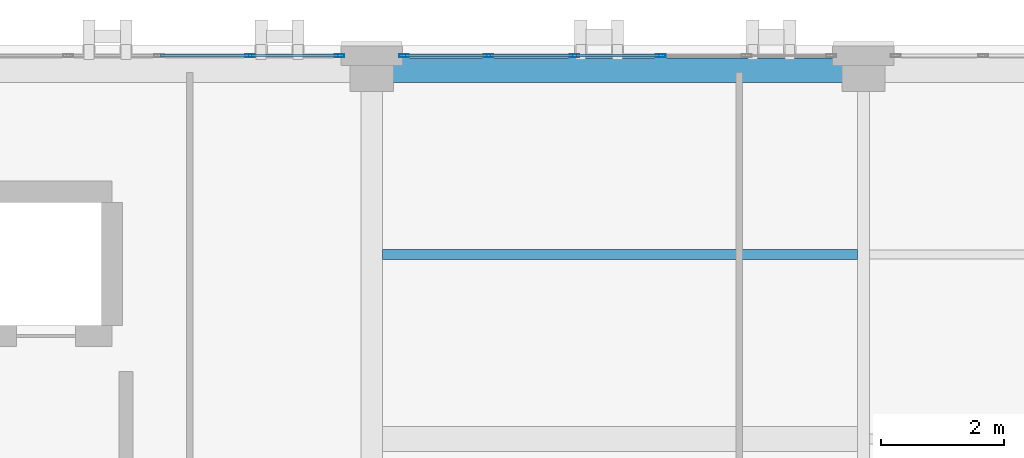
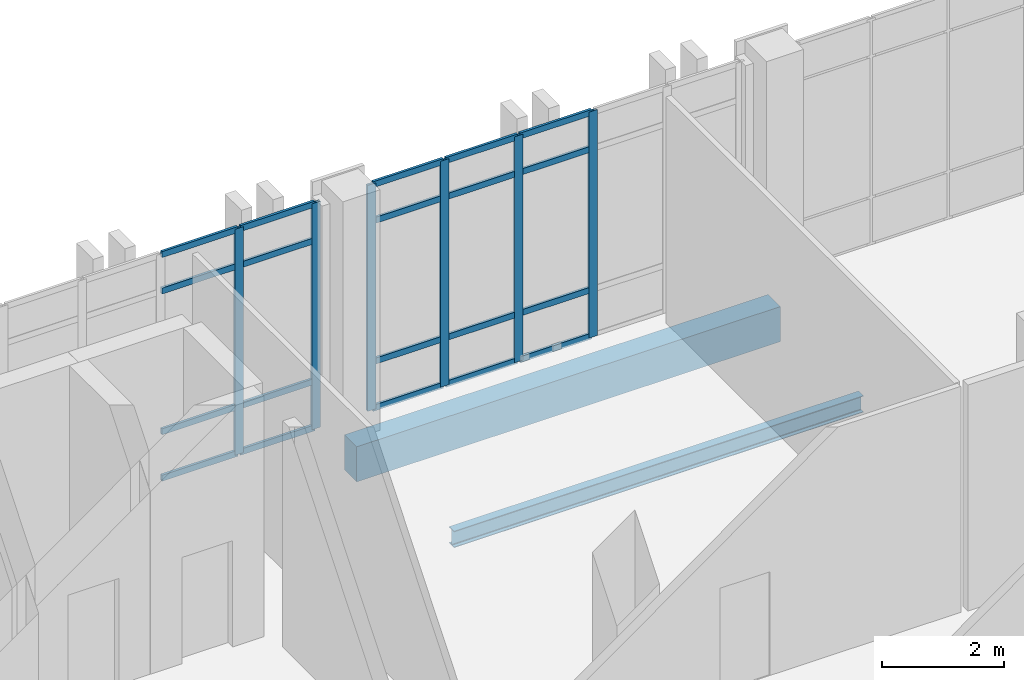
# One storey, part 94 of 189: 26 members, 2 beams, 2 elements without a shape of their own.
"""IFC4 building model written with IfcOpenShell, lengths in metres."""

from ifc_helpers import new_model, si_unit, direction, frame, origin, origin_2d, place, context, subcontext, project, spatial, rectangle, hollow_rectangle, i_section, extrude, material, layer, layer_set, material_profile, profile_set, type_object, element, aggregate, save


model = new_model("IFC4")

# Units and contexts
model_context = context("Model", 3, precision=1e-05, world=origin(), true_north=direction((0.0, 1.0)))
body_context = subcontext(model_context, "Body", "Model", "MODEL_VIEW")
ifc_project = project(units=[si_unit("LENGTHUNIT", "METRE"), si_unit("AREAUNIT", "SQUARE_METRE"), si_unit("VOLUMEUNIT", "CUBIC_METRE"), si_unit("PLANEANGLEUNIT", "RADIAN"), si_unit("MASSUNIT", "GRAM", prefix="KILO")], contexts=[model_context])

# Site, building, storey
site_placement = place(None, origin())
site = spatial("IfcSite", under=ifc_project, at=site_placement, CompositionType="ELEMENT")
building_placement = place(site_placement, origin())
building = spatial("IfcBuilding", under=site, at=building_placement, Name="Qalavern Law Courts", CompositionType="ELEMENT")
storey_placement = place(building_placement, frame((0.0, 0.0, 5.39990234375)))
storey = spatial("IfcBuildingStorey", under=building, at=storey_placement, Name="L01", CompositionType="ELEMENT", Elevation=5.39990234375)

# Curtain wall, members
ifc_material_1 = material(Name="Anodised aluminium and insulated glazing", Category="aluminium")
ifc_layer = layer(ifc_material_1, 0.166015625)
ifc_layer_set = layer_set([ifc_layer], Name="Anodised aluminium and insulated glazing")
curtain_wall_type = type_object("IfcCurtainWallType", Name="ENV-CW-LIB", PredefinedType="USERDEFINED", material=ifc_layer_set)
curtain_wall_1_placement = place(storey_placement, origin())
curtain_wall_1 = element("IfcCurtainWall", 1, at=curtain_wall_1_placement, inside=storey, type_object=curtain_wall_type, Name="V5 unitised curtain wall L01 north 4", ObjectType="UNITISED CURTAIN WALL", PredefinedType="USERDEFINED")
ifc_material_2 = material(Name="Anodised aluminium", Category="aluminium")
ifc_material_profile_1 = material_profile(ifc_material_2, hollow_rectangle(XDim=0.048095703125, YDim=0.159912109375, WallThickness=0.00390625, at=origin_2d()), Name="ALU MULLION 48x160")
ifc_profile_set_1 = profile_set([ifc_material_profile_1], Name="Anodised aluminium")
member_type_1 = type_object("IfcMemberType", Name="ENV-CWM-48x160", PredefinedType="MULLION", material=ifc_profile_set_1)
member_1_placement = place(storey_placement, frame((41.5, 112.83740234375, 0.0), z_axis=(0.0, 0.0, 1.0), x_axis=(0.0, -1.0, 0.0)))
member_1 = element("IfcMember", 2, at=member_1_placement, type_object=member_type_1, Name="CW-05 mullion 3", PredefinedType="MULLION", context=body_context, shape_type="SweptSolid", body=[
    extrude(hollow_rectangle(XDim=0.048095703125, YDim=0.159912109375, WallThickness=0.00390625, at=origin_2d()), origin(), (0.0, 0.0, 1.0), 4.510009765625),
])
member_2_placement = place(storey_placement, frame((40.10009765625, 112.83740234375, 0.0), z_axis=(0.0, 0.0, 1.0), x_axis=(0.0, -1.0, 0.0)))
member_2 = element("IfcMember", 3, at=member_2_placement, type_object=member_type_1, Name="CW-05 mullion 4", PredefinedType="MULLION", context=body_context, shape_type="SweptSolid", body=[
    extrude(hollow_rectangle(XDim=0.048095703125, YDim=0.159912109375, WallThickness=0.00390625, at=origin_2d()), origin(), (0.0, 0.0, 1.0), 4.510009765625),
])
member_3_placement = place(storey_placement, frame((38.699951171875, 112.83740234375, 0.0), z_axis=(0.0, 0.0, 1.0), x_axis=(0.0, -1.0, 0.0)))
member_3 = element("IfcMember", 4, at=member_3_placement, type_object=member_type_1, Name="CW-05 mullion 5", PredefinedType="MULLION", context=body_context, shape_type="SweptSolid", body=[
    extrude(hollow_rectangle(XDim=0.048095703125, YDim=0.159912109375, WallThickness=0.00390625, at=origin_2d()), origin(), (0.0, 0.0, 1.0), 4.510009765625),
])
member_4_placement = place(storey_placement, frame((37.323974609375, 112.83740234375, 0.0), z_axis=(0.0, 0.0, 1.0), x_axis=(0.0, -1.0, 0.0)))
member_4 = element("IfcMember", 5, at=member_4_placement, type_object=member_type_1, Name="CW-05 mullion 6", PredefinedType="MULLION", context=body_context, shape_type="SweptSolid", body=[
    extrude(hollow_rectangle(XDim=0.048095703125, YDim=0.159912109375, WallThickness=0.00390625, at=origin_2d()), origin(), (0.0, 0.0, 1.0), 4.510009765625),
])

curtain_wall_2_placement = place(storey_placement, origin())
curtain_wall_2 = element("IfcCurtainWall", 6, at=curtain_wall_2_placement, inside=storey, type_object=curtain_wall_type, Name="V5 unitised curtain wall L01 north 5", ObjectType="UNITISED CURTAIN WALL", PredefinedType="USERDEFINED")
member_5_placement = place(storey_placement, frame((36.27587890625, 112.83740234375, 0.0), z_axis=(0.0, 0.0, 1.0), x_axis=(0.0, -1.0, 0.0)))
member_5 = element("IfcMember", 7, at=member_5_placement, type_object=member_type_1, Name="CW-05 mullion 1", PredefinedType="MULLION", context=body_context, shape_type="SweptSolid", body=[
    extrude(hollow_rectangle(XDim=0.048095703125, YDim=0.159912109375, WallThickness=0.00390625, at=origin_2d()), origin(), (0.0, 0.0, 1.0), 4.510009765625),
])
member_6_placement = place(storey_placement, frame((34.820068359375, 112.83740234375, 0.0), z_axis=(0.0, 0.0, 1.0), x_axis=(0.0, -1.0, 0.0)))
member_6 = element("IfcMember", 8, at=member_6_placement, type_object=member_type_1, Name="CW-05 mullion 2", PredefinedType="MULLION", context=body_context, shape_type="SweptSolid", body=[
    extrude(hollow_rectangle(XDim=0.048095703125, YDim=0.159912109375, WallThickness=0.00390625, at=origin_2d()), origin(), (0.0, 0.0, 1.0), 4.510009765625),
])

# Member
ifc_material_profile_2 = material_profile(ifc_material_2, hollow_rectangle(XDim=0.048095703125, YDim=0.1201171875, WallThickness=0.00390625, at=origin_2d()), Name="ALU TRANSOM 48x120")
ifc_profile_set_2 = profile_set([ifc_material_profile_2], Name="Anodised aluminium")
member_type_2 = type_object("IfcMemberType", Name="ENV-CWT-48x120", PredefinedType="USERDEFINED", material=ifc_profile_set_2)
member_7_placement = place(storey_placement, frame((41.47607421875, 112.83740234375, 0.024169921875), z_axis=(-1.0, 0.0, 0.0), x_axis=(0.0, -1.0, 0.0)))
member_7 = element("IfcMember", 9, at=member_7_placement, type_object=member_type_2, Name="CW-05 transom 3.1", ObjectType="TRANSOM", PredefinedType="USERDEFINED", context=body_context, shape_type="SweptSolid", body=[
    extrude(hollow_rectangle(XDim=0.048095703125, YDim=0.1201171875, WallThickness=0.00390625, at=origin_2d()), origin(), (0.0, 0.0, 1.0), 1.35205078125),
])

member_8_placement = place(storey_placement, frame((41.47607421875, 112.83740234375, 0.9501953125), z_axis=(-1.0, 0.0, 0.0), x_axis=(0.0, -1.0, 0.0)))
member_8 = element("IfcMember", 10, at=member_8_placement, type_object=member_type_2, Name="CW-05 transom 3.2", ObjectType="TRANSOM", PredefinedType="USERDEFINED", context=body_context, shape_type="SweptSolid", body=[
    extrude(hollow_rectangle(XDim=0.048095703125, YDim=0.1201171875, WallThickness=0.00390625, at=origin_2d()), origin(), (0.0, 0.0, 1.0), 1.35205078125),
])

member_9_placement = place(storey_placement, frame((41.47607421875, 112.83740234375, 3.760009765625), z_axis=(-1.0, 0.0, 0.0), x_axis=(0.0, -1.0, 0.0)))
member_9 = element("IfcMember", 11, at=member_9_placement, type_object=member_type_2, Name="CW-05 transom 3.3", ObjectType="TRANSOM", PredefinedType="USERDEFINED", context=body_context, shape_type="SweptSolid", body=[
    extrude(hollow_rectangle(XDim=0.048095703125, YDim=0.1201171875, WallThickness=0.00390625, at=origin_2d()), origin(), (0.0, 0.0, 1.0), 1.35205078125),
])

member_10_placement = place(storey_placement, frame((41.47607421875, 112.83740234375, 4.486083984375), z_axis=(-1.0, 0.0, 0.0), x_axis=(0.0, -1.0, 0.0)))
member_10 = element("IfcMember", 12, at=member_10_placement, type_object=member_type_2, Name="CW-05 transom 3.4", ObjectType="TRANSOM", PredefinedType="USERDEFINED", context=body_context, shape_type="SweptSolid", body=[
    extrude(hollow_rectangle(XDim=0.048095703125, YDim=0.1201171875, WallThickness=0.00390625, at=origin_2d()), origin(), (0.0, 0.0, 1.0), 1.35205078125),
])

member_11_placement = place(storey_placement, frame((40.075927734375, 112.83740234375, 0.024169921875), z_axis=(-1.0, 0.0, 0.0), x_axis=(0.0, -1.0, 0.0)))
member_11 = element("IfcMember", 13, at=member_11_placement, type_object=member_type_2, Name="CW-05 transom 4.1", ObjectType="TRANSOM", PredefinedType="USERDEFINED", context=body_context, shape_type="SweptSolid", body=[
    extrude(hollow_rectangle(XDim=0.048095703125, YDim=0.1201171875, WallThickness=0.00390625, at=origin_2d()), origin(), (0.0, 0.0, 1.0), 1.351806640625),
])

member_12_placement = place(storey_placement, frame((40.075927734375, 112.83740234375, 0.9501953125), z_axis=(-1.0, 0.0, 0.0), x_axis=(0.0, -1.0, 0.0)))
member_12 = element("IfcMember", 14, at=member_12_placement, type_object=member_type_2, Name="CW-05 transom 4.2", ObjectType="TRANSOM", PredefinedType="USERDEFINED", context=body_context, shape_type="SweptSolid", body=[
    extrude(hollow_rectangle(XDim=0.048095703125, YDim=0.1201171875, WallThickness=0.00390625, at=origin_2d()), origin(), (0.0, 0.0, 1.0), 1.351806640625),
])

member_13_placement = place(storey_placement, frame((40.075927734375, 112.83740234375, 3.760009765625), z_axis=(-1.0, 0.0, 0.0), x_axis=(0.0, -1.0, 0.0)))
member_13 = element("IfcMember", 15, at=member_13_placement, type_object=member_type_2, Name="CW-05 transom 4.3", ObjectType="TRANSOM", PredefinedType="USERDEFINED", context=body_context, shape_type="SweptSolid", body=[
    extrude(hollow_rectangle(XDim=0.048095703125, YDim=0.1201171875, WallThickness=0.00390625, at=origin_2d()), origin(), (0.0, 0.0, 1.0), 1.351806640625),
])

member_14_placement = place(storey_placement, frame((40.075927734375, 112.83740234375, 4.486083984375), z_axis=(-1.0, 0.0, 0.0), x_axis=(0.0, -1.0, 0.0)))
member_14 = element("IfcMember", 16, at=member_14_placement, type_object=member_type_2, Name="CW-05 transom 4.4", ObjectType="TRANSOM", PredefinedType="USERDEFINED", context=body_context, shape_type="SweptSolid", body=[
    extrude(hollow_rectangle(XDim=0.048095703125, YDim=0.1201171875, WallThickness=0.00390625, at=origin_2d()), origin(), (0.0, 0.0, 1.0), 1.351806640625),
])

member_15_placement = place(storey_placement, frame((38.676025390625, 112.83740234375, 0.024169921875), z_axis=(-1.0, 0.0, 0.0), x_axis=(0.0, -1.0, 0.0)))
member_15 = element("IfcMember", 17, at=member_15_placement, type_object=member_type_2, Name="CW-05 transom 5.1", ObjectType="TRANSOM", PredefinedType="USERDEFINED", context=body_context, shape_type="SweptSolid", body=[
    extrude(hollow_rectangle(XDim=0.048095703125, YDim=0.1201171875, WallThickness=0.00390625, at=origin_2d()), origin(), (0.0, 0.0, 1.0), 1.328125),
])

member_16_placement = place(storey_placement, frame((38.676025390625, 112.83740234375, 0.9501953125), z_axis=(-1.0, 0.0, 0.0), x_axis=(0.0, -1.0, 0.0)))
member_16 = element("IfcMember", 18, at=member_16_placement, type_object=member_type_2, Name="CW-05 transom 5.2", ObjectType="TRANSOM", PredefinedType="USERDEFINED", context=body_context, shape_type="SweptSolid", body=[
    extrude(hollow_rectangle(XDim=0.048095703125, YDim=0.1201171875, WallThickness=0.00390625, at=origin_2d()), origin(), (0.0, 0.0, 1.0), 1.328125),
])

member_17_placement = place(storey_placement, frame((38.676025390625, 112.83740234375, 3.760009765625), z_axis=(-1.0, 0.0, 0.0), x_axis=(0.0, -1.0, 0.0)))
member_17 = element("IfcMember", 19, at=member_17_placement, type_object=member_type_2, Name="CW-05 transom 5.3", ObjectType="TRANSOM", PredefinedType="USERDEFINED", context=body_context, shape_type="SweptSolid", body=[
    extrude(hollow_rectangle(XDim=0.048095703125, YDim=0.1201171875, WallThickness=0.00390625, at=origin_2d()), origin(), (0.0, 0.0, 1.0), 1.328125),
])

member_18_placement = place(storey_placement, frame((38.676025390625, 112.83740234375, 4.486083984375), z_axis=(-1.0, 0.0, 0.0), x_axis=(0.0, -1.0, 0.0)))
member_18 = element("IfcMember", 20, at=member_18_placement, type_object=member_type_2, Name="CW-05 transom 5.4", ObjectType="TRANSOM", PredefinedType="USERDEFINED", context=body_context, shape_type="SweptSolid", body=[
    extrude(hollow_rectangle(XDim=0.048095703125, YDim=0.1201171875, WallThickness=0.00390625, at=origin_2d()), origin(), (0.0, 0.0, 1.0), 1.328125),
])

aggregate(curtain_wall_1, [member_1, member_2, member_3, member_4, member_7, member_8, member_9, member_10, member_11, member_12, member_13, member_14, member_15, member_16, member_17, member_18])

member_19_placement = place(storey_placement, frame((36.251953125, 112.83740234375, 0.024169921875), z_axis=(-1.0, 0.0, 0.0), x_axis=(0.0, -1.0, 0.0)))
member_19 = element("IfcMember", 21, at=member_19_placement, type_object=member_type_2, Name="CW-05 transom 1.1", ObjectType="TRANSOM", PredefinedType="USERDEFINED", context=body_context, shape_type="SweptSolid", body=[
    extrude(hollow_rectangle(XDim=0.048095703125, YDim=0.1201171875, WallThickness=0.00390625, at=origin_2d()), origin(), (0.0, 0.0, 1.0), 1.407958984375),
])

member_20_placement = place(storey_placement, frame((36.251953125, 112.83740234375, 0.9501953125), z_axis=(-1.0, 0.0, 0.0), x_axis=(0.0, -1.0, 0.0)))
member_20 = element("IfcMember", 22, at=member_20_placement, type_object=member_type_2, Name="CW-05 transom 1.2", ObjectType="TRANSOM", PredefinedType="USERDEFINED", context=body_context, shape_type="SweptSolid", body=[
    extrude(hollow_rectangle(XDim=0.048095703125, YDim=0.1201171875, WallThickness=0.00390625, at=origin_2d()), origin(), (0.0, 0.0, 1.0), 1.407958984375),
])

member_21_placement = place(storey_placement, frame((36.251953125, 112.83740234375, 3.760009765625), z_axis=(-1.0, 0.0, 0.0), x_axis=(0.0, -1.0, 0.0)))
member_21 = element("IfcMember", 23, at=member_21_placement, type_object=member_type_2, Name="CW-05 transom 1.3", ObjectType="TRANSOM", PredefinedType="USERDEFINED", context=body_context, shape_type="SweptSolid", body=[
    extrude(hollow_rectangle(XDim=0.048095703125, YDim=0.1201171875, WallThickness=0.00390625, at=origin_2d()), origin(), (0.0, 0.0, 1.0), 1.407958984375),
])

member_22_placement = place(storey_placement, frame((36.251953125, 112.83740234375, 4.486083984375), z_axis=(-1.0, 0.0, 0.0), x_axis=(0.0, -1.0, 0.0)))
member_22 = element("IfcMember", 24, at=member_22_placement, type_object=member_type_2, Name="CW-05 transom 1.4", ObjectType="TRANSOM", PredefinedType="USERDEFINED", context=body_context, shape_type="SweptSolid", body=[
    extrude(hollow_rectangle(XDim=0.048095703125, YDim=0.1201171875, WallThickness=0.00390625, at=origin_2d()), origin(), (0.0, 0.0, 1.0), 1.407958984375),
])

member_23_placement = place(storey_placement, frame((34.7958984375, 112.83740234375, 0.024169921875), z_axis=(-1.0, 0.0, 0.0), x_axis=(0.0, -1.0, 0.0)))
member_23 = element("IfcMember", 25, at=member_23_placement, type_object=member_type_2, Name="CW-05 transom 2.1", ObjectType="TRANSOM", PredefinedType="USERDEFINED", context=body_context, shape_type="SweptSolid", body=[
    extrude(hollow_rectangle(XDim=0.048095703125, YDim=0.1201171875, WallThickness=0.00390625, at=origin_2d()), origin(), (0.0, 0.0, 1.0), 1.431884765625),
])

member_24_placement = place(storey_placement, frame((34.7958984375, 112.83740234375, 0.9501953125), z_axis=(-1.0, 0.0, 0.0), x_axis=(0.0, -1.0, 0.0)))
member_24 = element("IfcMember", 26, at=member_24_placement, type_object=member_type_2, Name="CW-05 transom 2.2", ObjectType="TRANSOM", PredefinedType="USERDEFINED", context=body_context, shape_type="SweptSolid", body=[
    extrude(hollow_rectangle(XDim=0.048095703125, YDim=0.1201171875, WallThickness=0.00390625, at=origin_2d()), origin(), (0.0, 0.0, 1.0), 1.431884765625),
])

member_25_placement = place(storey_placement, frame((34.7958984375, 112.83740234375, 3.760009765625), z_axis=(-1.0, 0.0, 0.0), x_axis=(0.0, -1.0, 0.0)))
member_25 = element("IfcMember", 27, at=member_25_placement, type_object=member_type_2, Name="CW-05 transom 2.3", ObjectType="TRANSOM", PredefinedType="USERDEFINED", context=body_context, shape_type="SweptSolid", body=[
    extrude(hollow_rectangle(XDim=0.048095703125, YDim=0.1201171875, WallThickness=0.00390625, at=origin_2d()), origin(), (0.0, 0.0, 1.0), 1.431884765625),
])

member_26_placement = place(storey_placement, frame((34.7958984375, 112.83740234375, 4.486083984375), z_axis=(-1.0, 0.0, 0.0), x_axis=(0.0, -1.0, 0.0)))
member_26 = element("IfcMember", 28, at=member_26_placement, type_object=member_type_2, Name="CW-05 transom 2.4", ObjectType="TRANSOM", PredefinedType="USERDEFINED", context=body_context, shape_type="SweptSolid", body=[
    extrude(hollow_rectangle(XDim=0.048095703125, YDim=0.1201171875, WallThickness=0.00390625, at=origin_2d()), origin(), (0.0, 0.0, 1.0), 1.431884765625),
])

aggregate(curtain_wall_2, [member_5, member_6, member_19, member_20, member_21, member_22, member_23, member_24, member_25, member_26])

# Beams
ifc_material_3 = material(Name="Steel S355", Category="steel")
ifc_material_profile_3 = material_profile(ifc_material_3, i_section(OverallWidth=0.159912109375, OverallDepth=0.330078125, WebThickness=0.007568359375, FlangeThickness=0.011474609375, FilletRadius=0.01806640625, at=origin_2d()), Name="IPE 330")
ifc_profile_set_3 = profile_set([ifc_material_profile_3], Name="Steel S355")
beam_type_1 = type_object("IfcBeamType", Name="STR-JST-IPE330", PredefinedType="JOIST", material=ifc_profile_set_3)
beam_1_placement = place(storey_placement, frame((36.972900390625, 109.60009765625, -0.46484375), z_axis=(1.0, 0.0, 0.0), x_axis=(0.0, 1.0, 0.0)))
element("IfcBeam", 29, at=beam_1_placement, inside=storey, type_object=beam_type_1, Name="V5 secondary joist 5.2.2 L01", PredefinedType="JOIST", context=body_context, shape_type="SweptSolid", body=[
    extrude(i_section(OverallWidth=0.159912109375, OverallDepth=0.330078125, WebThickness=0.007568359375, FlangeThickness=0.011474609375, FilletRadius=0.01806640625, at=origin_2d()), origin(), (0.0, 0.0, 1.0), 7.72900390625),
])
ifc_material_4 = material(Name="Concrete C40/50", Category="concrete")
ifc_material_profile_4 = material_profile(ifc_material_4, rectangle(XDim=0.39990234375, YDim=0.699951171875, at=origin_2d()), Name="RC 400x700")
ifc_profile_set_4 = profile_set([ifc_material_profile_4], Name="Concrete C40/50")
beam_type_2 = type_object("IfcBeamType", Name="STR-SP-RC400x700", PredefinedType="SPANDREL", material=ifc_profile_set_4)
beam_2_placement = place(storey_placement, frame((36.800048828125, 112.60009765625, -0.64990234375), z_axis=(1.0, 0.0, 0.0), x_axis=(0.0, 1.0, 0.0)))
element("IfcBeam", 30, at=beam_2_placement, inside=storey, type_object=beam_type_2, Name="V5 X-beam 3-5 L01", PredefinedType="SPANDREL", context=body_context, shape_type="SweptSolid", body=[
    extrude(rectangle(XDim=0.39990234375, YDim=0.699951171875, at=origin_2d()), origin(), (0.0, 0.0, 1.0), 8.0),
])

save(model, "model.ifc")
